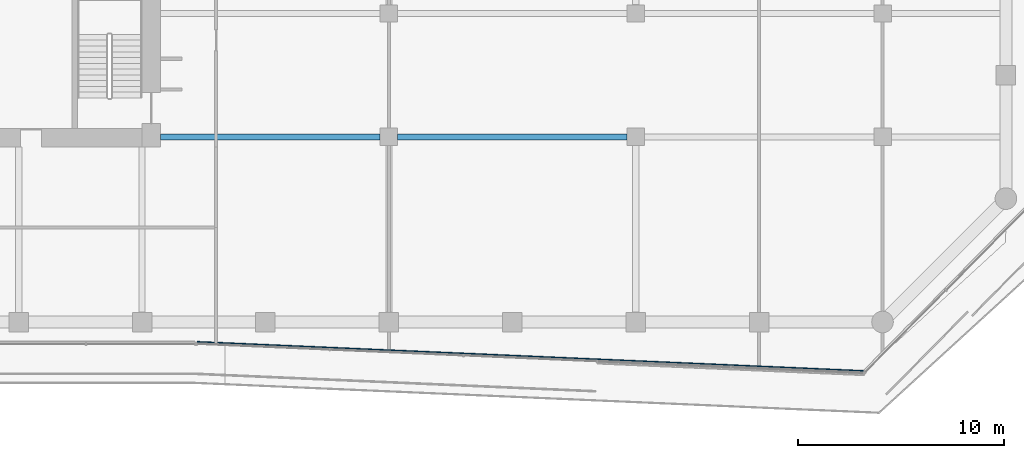
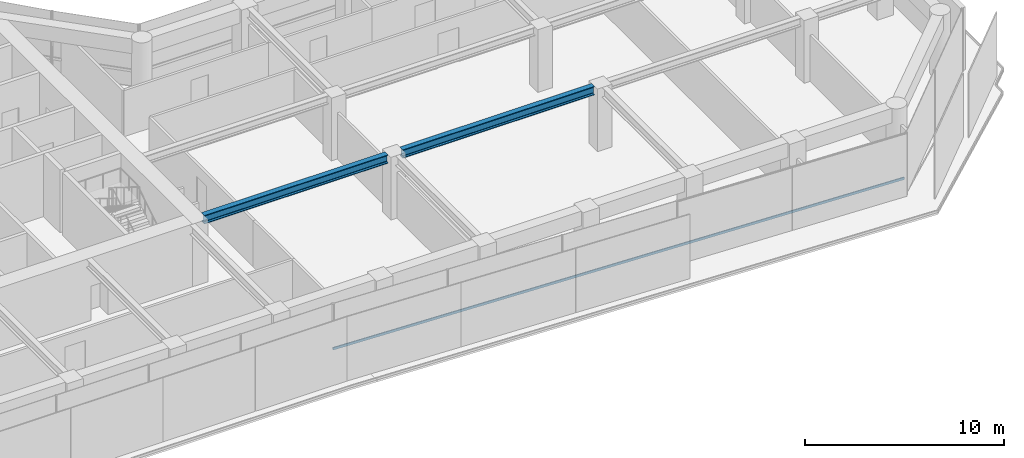
# One storey, part 7 of 29: 2 beams, 1 member, 1 element without a shape of its own.
"""IFC4 building model written with IfcOpenShell, lengths in metres."""

from ifc_helpers import new_model, si_unit, direction, frame, origin, origin_2d, place, context, subcontext, project, spatial, rectangle, i_section, extrude, material, layer, layer_set, material_profile, profile_set, type_object, element, aggregate, save


model = new_model("IFC4")

# Units and contexts
model_context = context("Model", 3, precision=1e-05, world=origin(), true_north=direction((0.0, 1.0)))
body_context = subcontext(model_context, "Body", "Model", "MODEL_VIEW")
ifc_project = project(units=[si_unit("LENGTHUNIT", "METRE"), si_unit("AREAUNIT", "SQUARE_METRE"), si_unit("VOLUMEUNIT", "CUBIC_METRE"), si_unit("PLANEANGLEUNIT", "RADIAN"), si_unit("MASSUNIT", "GRAM", prefix="KILO")], contexts=[model_context])

# Site, building, storey
site_placement = place(None, origin())
site = spatial("IfcSite", under=ifc_project, at=site_placement, CompositionType="ELEMENT")
building_placement = place(site_placement, origin())
building = spatial("IfcBuilding", under=site, at=building_placement, Name="Welwitschia Terrace Campus", CompositionType="ELEMENT")
storey_placement = place(building_placement, frame((0.0, 0.0, 41.60009765625)))
storey = spatial("IfcBuildingStorey", under=building, at=storey_placement, Name="L09", CompositionType="ELEMENT", Elevation=41.60009765625)

# Beams
ifc_material_1 = material(Name="Steel S355", Category="steel")
ifc_material_profile_1 = material_profile(ifc_material_1, i_section(OverallWidth=0.305908203125, OverallDepth=0.52392578125, WebThickness=0.02099609375, FlangeThickness=0.0400390625, FilletRadius=0.027099609375, at=origin_2d()))
ifc_profile_set_1 = profile_set([ifc_material_profile_1], Name="Steel S355")
beam_type = type_object("IfcBeamType", Name="Interior girder HE 500 M", PredefinedType="BEAM", material=ifc_profile_set_1)
beam_1_placement = place(storey_placement, frame((24.90087890625, 5.0, 3.587890625), z_axis=(1.0, 0.0, 0.0), x_axis=(0.0, 1.0, 0.0)))
element("IfcBeam", 1, at=beam_1_placement, inside=storey, type_object=beam_type, Name="Girder GB2", PredefinedType="BEAM", context=body_context, shape_type="SweptSolid", body=[
    extrude(i_section(OverallWidth=0.305908203125, OverallDepth=0.52392578125, WebThickness=0.02099609375, FlangeThickness=0.0400390625, FilletRadius=0.027099609375, at=origin_2d()), origin(), (0.0, 0.0, 1.0), 10.673583984375),
])
beam_2_placement = place(storey_placement, frame((36.425537109375, 5.0, 3.587890625), z_axis=(1.0, 0.0, 0.0), x_axis=(0.0, 1.0, 0.0)))
element("IfcBeam", 2, at=beam_2_placement, inside=storey, type_object=beam_type, Name="Girder GB2", PredefinedType="BEAM", context=body_context, shape_type="SweptSolid", body=[
    extrude(i_section(OverallWidth=0.305908203125, OverallDepth=0.52392578125, WebThickness=0.02099609375, FlangeThickness=0.0400390625, FilletRadius=0.027099609375, at=origin_2d()), origin(), (0.0, 0.0, 1.0), 11.14892578125),
])

# Curtain wall, member
ifc_material_2 = material(Name="Bronze anodised aluminium", Category="aluminium")
ifc_layer = layer(ifc_material_2, 0.1201171875)
ifc_layer_set = layer_set([ifc_layer], Name="Bronze anodised aluminium")
curtain_wall_type = type_object("IfcCurtainWallType", Name="Curtain wall CW2 tower 6000", PredefinedType="NOTDEFINED", material=ifc_layer_set)
curtain_wall_placement = place(storey_placement, origin())
curtain_wall = element("IfcCurtainWall", 3, at=curtain_wall_placement, inside=storey, type_object=curtain_wall_type, Name="CW L09.4.0", PredefinedType="NOTDEFINED")
ifc_material_3 = material(Name="Bronze anodised aluminium", Category="aluminium")
ifc_material_profile_2 = material_profile(ifc_material_3, rectangle(XDim=0.06005859375, YDim=0.14990234375, at=origin_2d()))
ifc_profile_set_2 = profile_set([ifc_material_profile_2], Name="Bronze anodised aluminium")
member_type = type_object("IfcMemberType", Name="Transom 60x150", PredefinedType="USERDEFINED", material=ifc_profile_set_2)
member_placement = place(storey_placement, frame((26.692138671875, -4.970703125, 1.0), z_axis=(0.999048367733, -0.043616039821, 0.0), x_axis=(0.043616039821, 0.999048367733, 0.0)))
member = element("IfcMember", 4, at=member_placement, type_object=member_type, Name="Transom L09.4.0", ObjectType="TRANSOM", PredefinedType="USERDEFINED", context=body_context, shape_type="SweptSolid", body=[
    extrude(rectangle(XDim=0.06005859375, YDim=0.14990234375, at=origin_2d()), origin(), (0.0, 0.0, 1.0), 32.409423828125),
])
aggregate(curtain_wall, [member])

save(model, "model.ifc")
